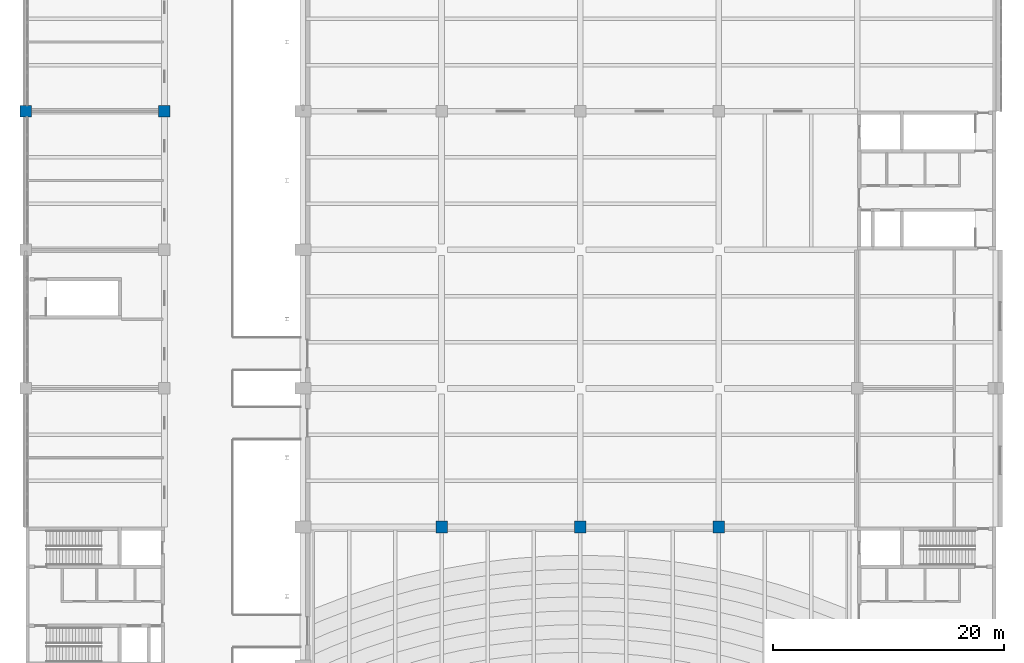
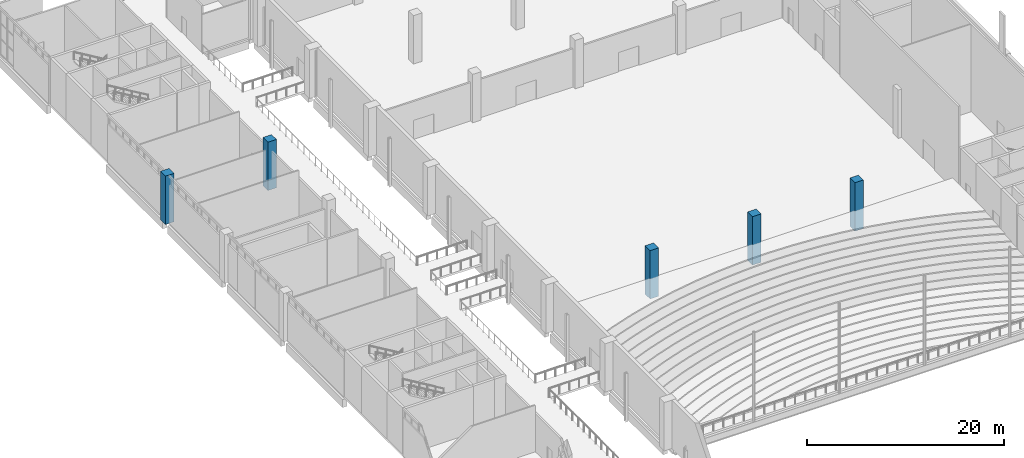
# One storey, part 9 of 72: 5 columns.
"""IFC4 building model written with IfcOpenShell, lengths in metres."""

from ifc_helpers import new_model, si_unit, direction, frame, origin, origin_2d, place, context, subcontext, project, spatial, rectangle, extrude, material, material_profile, profile_set, type_object, element, save


model = new_model("IFC4")

# Units and contexts
model_context = context("Model", 3, precision=1e-05, world=origin(), true_north=direction((0.0, 1.0)))
body_context = subcontext(model_context, "Body", "Model", "MODEL_VIEW")
ifc_project = project(units=[si_unit("LENGTHUNIT", "METRE"), si_unit("AREAUNIT", "SQUARE_METRE"), si_unit("VOLUMEUNIT", "CUBIC_METRE"), si_unit("PLANEANGLEUNIT", "RADIAN"), si_unit("MASSUNIT", "GRAM", prefix="KILO")], contexts=[model_context])

# Site, building, storey
site_placement = place(None, origin())
site = spatial("IfcSite", under=ifc_project, at=site_placement, CompositionType="ELEMENT")
building_placement = place(site_placement, origin())
building = spatial("IfcBuilding", under=site, at=building_placement, Name="Lilac Gate Convention Centre", CompositionType="ELEMENT")
storey_placement = place(building_placement, frame((0.0, 0.0, 6.0)))
storey = spatial("IfcBuildingStorey", under=building, at=storey_placement, Name="L01", CompositionType="ELEMENT", Elevation=6.0)

# Columns
ifc_material = material(Name="Concrete C40", Category="concrete")
ifc_material_profile = material_profile(ifc_material, rectangle(XDim=1.0, YDim=1.0, at=origin_2d()), Name="RC 1000x1000")
ifc_profile_set = profile_set([ifc_material_profile], Name="Concrete C40")
column_type = type_object("IfcColumnType", Name="RC column 1000x1000 C40", PredefinedType="COLUMN", material=ifc_profile_set)
for number, where, z_axis, x_axis, name in (
    (1, (6.0, 198.0, 0.0), (0.0, 0.0, 1.0), (1.0, 0.0, 0.0), "C1 L01 at 1/Q"),
    (2, (18.0, 198.0, 0.0), (0.0, 0.0, 1.0), (1.0, 0.0, 0.0), "C1 L01 at 2/Q"),
    (3, (42.0, 162.0, 0.0), (0.0, 0.0, 1.0), (1.0, 0.0, 0.0), "C1 L01 at 4/M"),
    (4, (54.0, 162.0, 0.0), (0.0, 0.0, 1.0), (1.0, 0.0, 0.0), "C1 L01 at 5/M"),
    (5, (66.0, 162.0, 0.0), (0.0, 0.0, 1.0), (1.0, 0.0, 0.0), "C1 L01 at 6/M"),
):
    element("IfcColumn", number, at=place(storey_placement, frame(where, z_axis=z_axis, x_axis=x_axis)), inside=storey, type_object=column_type, Name=name, PredefinedType="COLUMN", context=body_context, shape_type="SweptSolid", body=[
        extrude(rectangle(XDim=1.0, YDim=1.0, at=origin_2d()), origin(), (0.0, 0.0, 1.0), 6.0),
    ])

save(model, "model.ifc")
